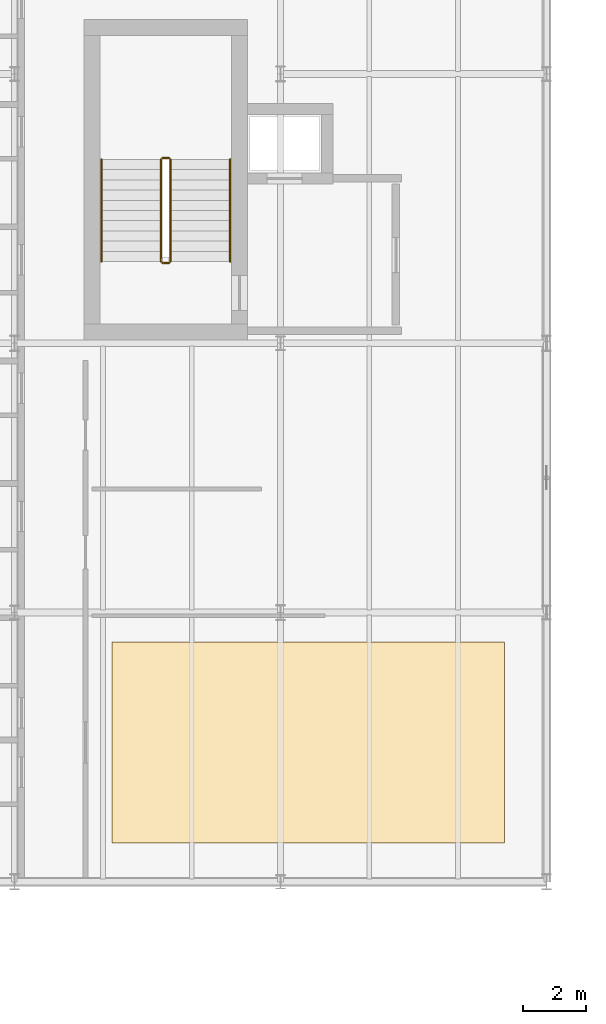
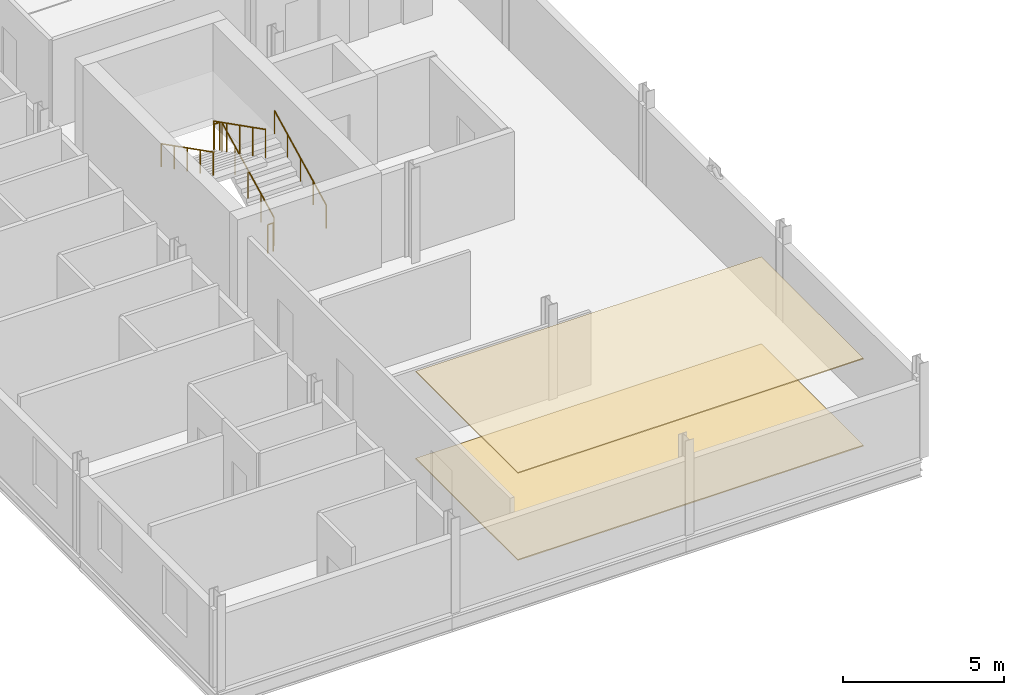
# One storey, part 33 of 36: 6 railings, 2 coverings.
"""IFC4 building model written with IfcOpenShell, lengths in metres."""

import ifcopenshell
import ifcopenshell.guid

model = None  # the IFC model being written
_history = None  # IfcOwnerHistory: only IFC2X3 demands one
_inside = {}  # id of a spatial element -> (the spatial element, [elements in it])
_under = {}  # id of a project, library or spatial element -> (it, [spatial elements below it])
_declared = {}  # id of a project -> (the project, [libraries it declares])
_typed = {}  # id of a type object -> (the type object, [elements of that type])
_made_of = {}  # id of a material, layer set ... -> (it, [elements and type objects made of it])


def new_model(schema):
    """Start an empty IFC model of exactly this schema.

    Asked for "IFC4X3", IfcOpenShell would pick the latest addendum, in which some entities
    have other attributes; the version numbers below select the first issue.
    IFC2X3 requires an IfcOwnerHistory on every rooted entity: one is made here for all.
    """
    global model, _history
    if schema == "IFC4X3":
        model = ifcopenshell.file(schema_version=(4, 3, 0, 0))
    else:
        model = ifcopenshell.file(schema=schema)
    _inside.clear()
    _under.clear()
    _declared.clear()
    _typed.clear()
    _made_of.clear()
    _history = None
    if model.schema == "IFC2X3":
        org = make("IfcOrganization", Name="unknown")
        user = make(
            "IfcPersonAndOrganization",
            ThePerson=make("IfcPerson", FamilyName="unknown"),
            TheOrganization=org,
        )
        app = make(
            "IfcApplication",
            ApplicationDeveloper=org,
            Version="unknown",
            ApplicationFullName="unknown",
            ApplicationIdentifier="unknown",
        )
        _history = make(
            "IfcOwnerHistory",
            OwningUser=user,
            OwningApplication=app,
            ChangeAction="ADDED",
            CreationDate=0,
        )
    return model


def make(cls, **values):
    """One entity of the class cls with the attributes given. An attribute that is None is left unset."""
    return model.create_entity(
        cls, **{name: value for name, value in values.items() if value is not None}
    )


def rooted(cls, **values):
    """An entity with a GlobalId (a new one), such as an element, a storey or a relation."""
    return make(cls, GlobalId=ifcopenshell.guid.new(), OwnerHistory=_history, **values)


def si_unit(unit_type, name, prefix=None):
    """IfcSIUnit, for example si_unit("LENGTHUNIT", "METRE", prefix="MILLI")."""
    return make("IfcSIUnit", UnitType=unit_type, Prefix=prefix, Name=name)


def assignment(units):
    """IfcUnitAssignment: the units of a project."""
    return None if units is None else make("IfcUnitAssignment", Units=units)


def point(xyz):
    """IfcCartesianPoint."""
    return None if xyz is None else make("IfcCartesianPoint", Coordinates=xyz)


def direction(xyz):
    """IfcDirection."""
    return None if xyz is None else make("IfcDirection", DirectionRatios=xyz)


def frame(location, z_axis=None, x_axis=None):
    """IfcAxis2Placement3D, a coordinate frame: its origin and axes. An axis left out is left unset."""
    return make(
        "IfcAxis2Placement3D",
        Location=point(location),
        Axis=direction(z_axis),
        RefDirection=direction(x_axis),
    )


def frame_2d(location, x_axis=None):
    """IfcAxis2Placement2D, a coordinate frame in the plane: its origin and x axis."""
    return make(
        "IfcAxis2Placement2D", Location=point(location), RefDirection=direction(x_axis)
    )


def origin():
    """The frame at (0, 0, 0) with its axes left unset."""
    return frame((0.0, 0.0, 0.0))


def origin_2d():
    """The frame at (0, 0) in the plane with its x axis left unset."""
    return frame_2d((0.0, 0.0))


def place(relative_to, where):
    """IfcLocalPlacement: puts the frame where relative to a parent placement (None: the world)."""
    return make(
        "IfcLocalPlacement", PlacementRelTo=relative_to, RelativePlacement=where
    )


def context(
    kind, dimensions, precision=None, world=None, true_north=None, identifier=None
):
    """IfcGeometricRepresentationContext, for example the 3D "Model" context."""
    return make(
        "IfcGeometricRepresentationContext",
        ContextIdentifier=identifier,
        ContextType=kind,
        CoordinateSpaceDimension=dimensions,
        Precision=precision,
        WorldCoordinateSystem=world,
        TrueNorth=true_north,
    )


def subcontext(parent, identifier, kind, view, scale=None):
    """IfcGeometricRepresentationSubContext, for example "Body" below "Model"."""
    return make(
        "IfcGeometricRepresentationSubContext",
        ContextIdentifier=identifier,
        ContextType=kind,
        ParentContext=parent,
        TargetScale=scale,
        TargetView=view,
    )


def project(units=None, contexts=None):
    """IfcProject with its units and contexts."""
    return rooted(
        "IfcProject",
        Name="project",
        RepresentationContexts=contexts,
        UnitsInContext=assignment(units),
    )


def spatial(cls, under=None, at=None, **own):
    """A site, building, storey or space (cls), placed at a placement, below another one or the project."""
    s = rooted(cls, ObjectPlacement=at, **own)
    if under is not None:
        _under.setdefault(under.id(), (under, []))[1].append(s)
    return s


def polyline(points):
    """IfcPolyline through the points."""
    return make("IfcPolyline", Points=[point(p) for p in points])


def profile(cls, at=None, kind="AREA", **sizes):
    """A parametric profile (cls). Its sizes go by their IFC names, for example OverallWidth=200.0."""
    return make(cls, ProfileType=kind, Position=at, **sizes)


def circle(**sizes):
    """IfcCircleProfileDef."""
    return profile("IfcCircleProfileDef", **sizes)


def outline(outer, holes=None, kind="AREA"):
    """IfcArbitraryClosedProfileDef: a profile drawn as a closed curve; with holes, ...WithVoids."""
    if holes is None:
        return make("IfcArbitraryClosedProfileDef", ProfileType=kind, OuterCurve=outer)
    return make(
        "IfcArbitraryProfileDefWithVoids",
        ProfileType=kind,
        OuterCurve=outer,
        InnerCurves=holes,
    )


def extrude(swept, where, along, depth):
    """IfcExtrudedAreaSolid: the profile swept, set in the frame where, extruded along a direction by depth."""
    return make(
        "IfcExtrudedAreaSolid",
        SweptArea=swept,
        Position=where,
        ExtrudedDirection=direction(along),
        Depth=depth,
    )


def shape(context_of_items, identifier, shape_type, items):
    """IfcShapeRepresentation: the items that make up one representation, for example the "Body"."""
    return make(
        "IfcShapeRepresentation",
        ContextOfItems=context_of_items,
        RepresentationIdentifier=identifier,
        RepresentationType=shape_type,
        Items=items,
    )


def material(Name=None, Category=None):
    """IfcMaterial."""
    return make("IfcMaterial", Name=Name, Category=Category)


def layer(
    of_material, thickness, ventilated=None, Name=None, Category=None, Priority=None
):
    """IfcMaterialLayer: one layer of a wall or slab, of a material (None: an air gap)."""
    return make(
        "IfcMaterialLayer",
        Material=of_material,
        LayerThickness=thickness,
        IsVentilated=ventilated,
        Name=Name,
        Category=Category,
        Priority=Priority,
    )


def layer_set(layers, Name=None):
    """IfcMaterialLayerSet."""
    return make("IfcMaterialLayerSet", MaterialLayers=layers, LayerSetName=Name)


def made_of(thing, what):
    """Note that an element or type object is made of a material, layer set ...; save() writes the relation."""
    if what is not None:
        _made_of.setdefault(what.id(), (what, []))[1].append(thing)
    return thing


def type_object(cls, material=None, **own):
    """A type object (cls), such as IfcWallType, which elements share."""
    return made_of(rooted(cls, **own), material)


def element(
    cls,
    number,
    at=None,
    inside=None,
    cuts=None,
    type_object=None,
    material=None,
    context=None,
    identifier="Body",
    shape_type=None,
    held_by="IfcProductDefinitionShape",
    body=None,
    shapes=None,
    **own,
):
    """One element of the class cls, such as IfcWall. Its Tag is "e" and its number.

    at: its placement. inside: the storey or other place that contains it. cuts: it is an
    opening in that element (IfcRelVoidsElement). A single representation is given by context,
    identifier, shape_type and body (its items); several are given by shapes. held_by: the class
    of the entity that holds the representations. save() writes the other relations.
    """
    e = rooted(cls, Tag="e%d" % number, ObjectPlacement=at, **own)
    if body is not None:
        shapes = [shape(context, identifier, shape_type, body)]
    if shapes is not None:
        e.Representation = make(held_by, Representations=shapes)
    if inside is not None:
        _inside.setdefault(inside.id(), (inside, []))[1].append(e)
    if cuts is not None:
        rooted(
            "IfcRelVoidsElement", RelatingBuildingElement=cuts, RelatedOpeningElement=e
        )
    if type_object is not None:
        _typed.setdefault(type_object.id(), (type_object, []))[1].append(e)
    return made_of(e, material)


def aggregate(whole, parts):
    """IfcRelAggregates: a whole, such as a stair, and the parts it consists of."""
    return rooted("IfcRelAggregates", RelatingObject=whole, RelatedObjects=parts)


def save(model, path):
    """Write the relations noted so far, then the file.

    IfcRelAggregates (storeys below a building ...), IfcRelContainedInSpatialStructure (elements
    in a storey), IfcRelDefinesByType, IfcRelAssociatesMaterial and IfcRelDeclares: one each for
    every whole, place, type object, material and project.
    """
    for whole, parts in _under.values():
        aggregate(whole, parts)
    for where, things in _inside.values():
        rooted(
            "IfcRelContainedInSpatialStructure",
            RelatedElements=things,
            RelatingStructure=where,
        )
    for kind, things in _typed.values():
        rooted("IfcRelDefinesByType", RelatedObjects=things, RelatingType=kind)
    for what, things in _made_of.values():
        rooted("IfcRelAssociatesMaterial", RelatedObjects=things, RelatingMaterial=what)
    for by, libraries in _declared.values():
        rooted("IfcRelDeclares", RelatingContext=by, RelatedDefinitions=libraries)
    model.write(path)


model = new_model("IFC4")

# Units and contexts
model_context = context("Model", 3, precision=1e-05, world=origin(), true_north=direction((0.0, 1.0)))
body_context = subcontext(model_context, "Body", "Model", "MODEL_VIEW")
ifc_project = project(units=[si_unit("LENGTHUNIT", "METRE"), si_unit("AREAUNIT", "SQUARE_METRE"), si_unit("VOLUMEUNIT", "CUBIC_METRE"), si_unit("PLANEANGLEUNIT", "RADIAN"), si_unit("MASSUNIT", "GRAM", prefix="KILO")], contexts=[model_context])

# Site, building, storey
site_placement = place(None, origin())
site = spatial("IfcSite", under=ifc_project, at=site_placement, CompositionType="ELEMENT")
building_placement = place(site_placement, origin())
building = spatial("IfcBuilding", under=site, at=building_placement, Name="Sefraquen Railside Congress Hotel", CompositionType="ELEMENT")
storey_placement = place(building_placement, frame((0.0, 0.0, 24.60009765625)))
storey = spatial("IfcBuildingStorey", under=building, at=storey_placement, Name="L05", CompositionType="ELEMENT", Elevation=24.60009765625)

# Coverings
ifc_material_1 = material(Name="Acoustic mineral and carved plaster ceiling", Category="gypsum")
ifc_layer_1 = layer(ifc_material_1, 0.0400390625)
ifc_layer_set_1 = layer_set([ifc_layer_1], Name="Acoustic mineral and carved plaster ceiling")
covering_type_1 = type_object("IfcCoveringType", Name="TCV-CEIL-01", PredefinedType="CEILING", material=ifc_layer_set_1)
covering_1_placement = place(storey_placement, frame((0.0, 0.0, 3.2998046875)))
element("IfcCovering", 1, at=covering_1_placement, inside=storey, type_object=covering_type_1, Name="Atlas Cedar Library Salon acoustic ceiling finish", PredefinedType="CEILING", context=body_context, shape_type="SweptSolid", body=[
    extrude(outline(polyline([(11.47998046875, 63.72998046875), (23.8701171875, 63.72998046875), (23.8701171875, 70.070068359375), (11.47998046875, 70.070068359375), (11.47998046875, 63.72998046875)])), origin(), (0.0, 0.0, 1.0), 0.0400390625),
])
ifc_material_2 = material(Name="Moroccan zellige ceramic and honed stone flooring", Category="masonry")
ifc_layer_2 = layer(ifc_material_2, 0.0400390625)
ifc_layer_set_2 = layer_set([ifc_layer_2], Name="Moroccan zellige ceramic and honed stone flooring")
covering_type_2 = type_object("IfcCoveringType", Name="TCV-FLR-01", PredefinedType="FLOORING", material=ifc_layer_set_2)
covering_2_placement = place(storey_placement, origin())
element("IfcCovering", 2, at=covering_2_placement, inside=storey, type_object=covering_type_2, Name="Atlas Cedar Library Salon architectural floor finish", PredefinedType="FLOORING", context=body_context, shape_type="SweptSolid", body=[
    extrude(outline(polyline([(11.47998046875, 63.72998046875), (23.8701171875, 63.72998046875), (23.8701171875, 70.070068359375), (11.47998046875, 70.070068359375), (11.47998046875, 63.72998046875)])), origin(), (0.0, 0.0, 1.0), 0.039794921875),
])

# Railings
ifc_material_3 = material(Name="Patinated wrought architectural bronze", Category="metal")
railing_type_1 = type_object("IfcRailingType", Name="TRL-BAL-110", PredefinedType="BALUSTRADE", material=ifc_material_3)
railing_1_placement = place(storey_placement, frame((13.330078125, 82.080078125, 0.16357421875)))
element("IfcRailing", 3, at=railing_1_placement, inside=storey, type_object=railing_type_1, Name="L05 ST-H01 stair guard 1", PredefinedType="BALUSTRADE", context=body_context, shape_type="SweptSolid", body=[
    extrude(circle(Radius=0.02392578125, at=origin_2d()), frame((0.0, 0.0, 1.076171875), z_axis=(0.0, 0.89150174374, 0.453017263367), x_axis=(-1.0, 0.0, 0.0)), (0.0, 0.0, 1.0), 3.61181640625),
    extrude(circle(Radius=0.02099609375, at=origin_2d()), origin(), (0.0, 0.0, 1.0), 1.052001953125),
    extrude(circle(Radius=0.02099609375, at=origin_2d()), frame((0.0, 0.804931640625, 0.4091796875)), (0.0, 0.0, 1.0), 1.052001953125),
    extrude(circle(Radius=0.02099609375, at=origin_2d()), frame((0.0, 1.60986328125, 0.818115234375)), (0.0, 0.0, 1.0), 1.052001953125),
    extrude(circle(Radius=0.02099609375, at=origin_2d()), frame((0.0, 2.4150390625, 1.22705078125)), (0.0, 0.0, 1.0), 1.052001953125),
    extrude(circle(Radius=0.02099609375, at=origin_2d()), frame((0.0, 3.219970703125, 1.63623046875)), (0.0, 0.0, 1.0), 1.052001953125),
])
railing_2_placement = place(storey_placement, frame((13.280029296875, 85.35009765625, 1.7998046875)))
element("IfcRailing", 4, at=railing_2_placement, inside=storey, type_object=railing_type_1, Name="L05 ST-H01 stair guard 2", PredefinedType="BALUSTRADE", context=body_context, shape_type="SweptSolid", body=[
    extrude(circle(Radius=0.02392578125, at=origin_2d()), frame((0.0, 0.0, 1.076171875), z_axis=(-1.0, 0.0, 0.0), x_axis=(0.0, -1.0, 0.0)), (0.0, 0.0, 1.0), 0.199951171875),
    extrude(circle(Radius=0.02099609375, at=origin_2d()), origin(), (0.0, 0.0, 1.0), 1.052001953125),
    extrude(circle(Radius=0.02099609375, at=origin_2d()), frame((-0.199951171875, 0.0, 0.0)), (0.0, 0.0, 1.0), 1.052001953125),
])
railing_3_placement = place(storey_placement, frame((13.030029296875, 85.300048828125, 1.963623046875)))
element("IfcRailing", 5, at=railing_3_placement, inside=storey, type_object=railing_type_1, Name="L05 ST-H01 stair guard 3", PredefinedType="BALUSTRADE", context=body_context, shape_type="SweptSolid", body=[
    extrude(circle(Radius=0.02392578125, at=origin_2d()), frame((0.0, 0.0, 1.076171875), z_axis=(0.0, -0.89150174374, 0.453017263367), x_axis=(1.0, 0.0, 0.0)), (0.0, 0.0, 1.0), 3.61181640625),
    extrude(circle(Radius=0.02099609375, at=origin_2d()), origin(), (0.0, 0.0, 1.0), 1.052001953125),
    extrude(circle(Radius=0.02099609375, at=origin_2d()), frame((0.0, -0.804931640625, 0.4091796875)), (0.0, 0.0, 1.0), 1.052001953125),
    extrude(circle(Radius=0.02099609375, at=origin_2d()), frame((0.0, -1.60986328125, 0.818115234375)), (0.0, 0.0, 1.0), 1.052001953125),
    extrude(circle(Radius=0.02099609375, at=origin_2d()), frame((0.0, -2.4150390625, 1.22705078125)), (0.0, 0.0, 1.0), 1.052001953125),
    extrude(circle(Radius=0.02099609375, at=origin_2d()), frame((0.0, -3.219970703125, 1.63623046875)), (0.0, 0.0, 1.0), 1.052001953125),
])
railing_4_placement = place(storey_placement, frame((13.280029296875, 82.030029296875, 0.0)))
element("IfcRailing", 6, at=railing_4_placement, inside=storey, type_object=railing_type_1, Name="L05 ST-H01 stair guard 4", PredefinedType="BALUSTRADE", context=body_context, shape_type="SweptSolid", body=[
    extrude(circle(Radius=0.02392578125, at=origin_2d()), frame((0.0, 0.0, 1.076171875), z_axis=(-1.0, 0.0, 0.0), x_axis=(0.0, -1.0, 0.0)), (0.0, 0.0, 1.0), 0.199951171875),
    extrude(circle(Radius=0.02099609375, at=origin_2d()), origin(), (0.0, 0.0, 1.0), 1.052001953125),
    extrude(circle(Radius=0.02099609375, at=origin_2d()), frame((-0.199951171875, 0.0, 0.0)), (0.0, 0.0, 1.0), 1.052001953125),
])
railing_type_2 = type_object("IfcRailingType", Name="TRL-HR-090", PredefinedType="HANDRAIL", material=ifc_material_3)
railing_5_placement = place(storey_placement, frame((15.2099609375, 82.080078125, 0.16357421875)))
element("IfcRailing", 7, at=railing_5_placement, inside=storey, type_object=railing_type_2, Name="L05 ST-H01 stair handrail 1", PredefinedType="HANDRAIL", context=body_context, shape_type="SweptSolid", body=[
    extrude(circle(Radius=0.02392578125, at=origin_2d()), frame((0.0, 0.0, 0.8759765625), z_axis=(0.0, 0.89150174374, 0.453017263367), x_axis=(-1.0, 0.0, 0.0)), (0.0, 0.0, 1.0), 3.61181640625),
    extrude(circle(Radius=0.02099609375, at=origin_2d()), origin(), (0.0, 0.0, 1.0), 0.851806640625),
    extrude(circle(Radius=0.02099609375, at=origin_2d()), frame((0.0, 0.804931640625, 0.4091796875)), (0.0, 0.0, 1.0), 0.851806640625),
    extrude(circle(Radius=0.02099609375, at=origin_2d()), frame((0.0, 1.60986328125, 0.818115234375)), (0.0, 0.0, 1.0), 0.851806640625),
    extrude(circle(Radius=0.02099609375, at=origin_2d()), frame((0.0, 2.4150390625, 1.22705078125)), (0.0, 0.0, 1.0), 0.851806640625),
    extrude(circle(Radius=0.02099609375, at=origin_2d()), frame((0.0, 3.219970703125, 1.63623046875)), (0.0, 0.0, 1.0), 0.851806640625),
])
railing_6_placement = place(storey_placement, frame((11.14990234375, 85.300048828125, 1.963623046875)))
element("IfcRailing", 8, at=railing_6_placement, inside=storey, type_object=railing_type_2, Name="L05 ST-H01 stair handrail 2", PredefinedType="HANDRAIL", context=body_context, shape_type="SweptSolid", body=[
    extrude(circle(Radius=0.02392578125, at=origin_2d()), frame((0.0, 0.0, 0.8759765625), z_axis=(0.0, -0.89150174374, 0.453017263367), x_axis=(1.0, 0.0, 0.0)), (0.0, 0.0, 1.0), 3.61181640625),
    extrude(circle(Radius=0.02099609375, at=origin_2d()), origin(), (0.0, 0.0, 1.0), 0.851806640625),
    extrude(circle(Radius=0.02099609375, at=origin_2d()), frame((0.0, -0.804931640625, 0.4091796875)), (0.0, 0.0, 1.0), 0.851806640625),
    extrude(circle(Radius=0.02099609375, at=origin_2d()), frame((0.0, -1.60986328125, 0.818115234375)), (0.0, 0.0, 1.0), 0.851806640625),
    extrude(circle(Radius=0.02099609375, at=origin_2d()), frame((0.0, -2.4150390625, 1.22705078125)), (0.0, 0.0, 1.0), 0.851806640625),
    extrude(circle(Radius=0.02099609375, at=origin_2d()), frame((0.0, -3.219970703125, 1.63623046875)), (0.0, 0.0, 1.0), 0.851806640625),
])

save(model, "model.ifc")
